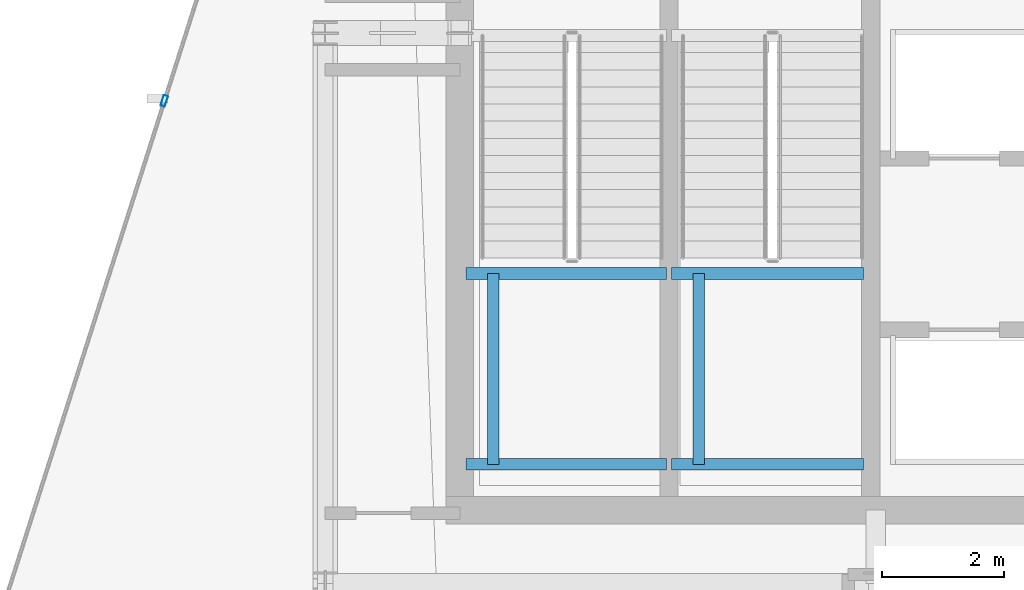
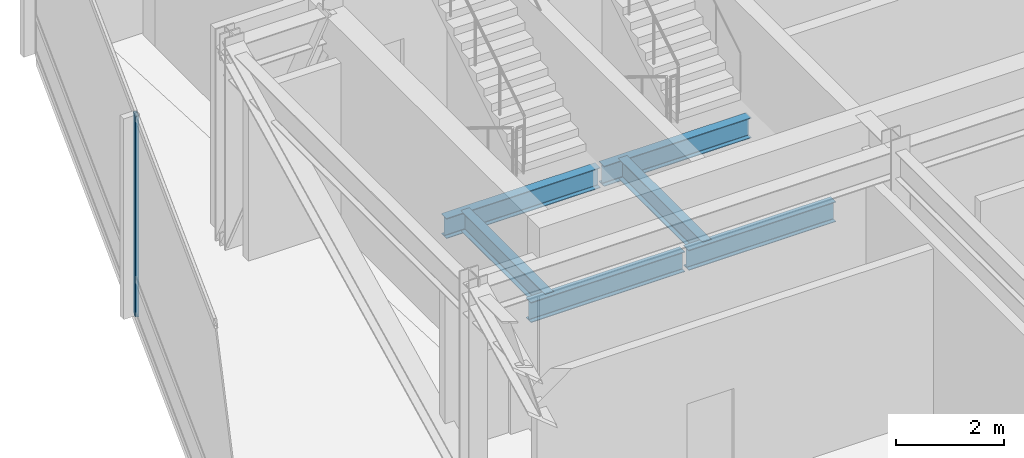
# One storey, part 8 of 23: 6 beams, 1 member, 1 element without a shape of its own.
"""IFC4 building model written with IfcOpenShell, lengths in metres."""

from ifc_helpers import new_model, si_unit, direction, frame, origin, origin_2d, place, context, subcontext, project, spatial, hollow_rectangle, i_section, extrude, material, layer, layer_set, material_profile, profile_set, type_object, element, aggregate, save


model = new_model("IFC4")

# Units and contexts
model_context = context("Model", 3, precision=1e-05, world=origin(), true_north=direction((0.0, 1.0)))
body_context = subcontext(model_context, "Body", "Model", "MODEL_VIEW")
ifc_project = project(units=[si_unit("LENGTHUNIT", "METRE"), si_unit("AREAUNIT", "SQUARE_METRE"), si_unit("VOLUMEUNIT", "CUBIC_METRE"), si_unit("PLANEANGLEUNIT", "RADIAN"), si_unit("MASSUNIT", "GRAM", prefix="KILO")], contexts=[model_context])

# Site, building, storey
site_placement = place(None, origin())
site = spatial("IfcSite", under=ifc_project, at=site_placement, CompositionType="ELEMENT")
building_placement = place(site_placement, origin())
building = spatial("IfcBuilding", under=site, at=building_placement, Name="Solvaryn Broadcast Tower", CompositionType="ELEMENT")
storey_placement = place(building_placement, frame((0.0, 0.0, 285.199951171875)))
storey = spatial("IfcBuildingStorey", under=building, at=storey_placement, Name="L72", CompositionType="ELEMENT", Elevation=285.199951171875)

# Beams
ifc_material_1 = material(Name="Steel ASTM A992 Grade 50", Category="steel")
ifc_material_profile_1 = material_profile(ifc_material_1, i_section(OverallWidth=0.18994140625, OverallDepth=0.45703125, WebThickness=0.009033203125, FlangeThickness=0.014404296875, FilletRadius=0.011962890625, at=origin_2d()))
ifc_profile_set_1 = profile_set([ifc_material_profile_1], Name="Steel ASTM A992 Grade 50")
beam_type = type_object("IfcBeamType", Name="BM-B4-W18X50", PredefinedType="BEAM", material=ifc_profile_set_1)
for number, where, z_axis, x_axis, name in (
    (1, (11.300048828125, 28.949951171875, 1.971435546875), (1.0, 0.0, 0.0), (0.0, 1.0, 0.0), "L72 ST1 Landing Support Beam 1A"),
    (2, (11.300048828125, 32.070068359375, 1.971435546875), (1.0, 0.0, 0.0), (0.0, 1.0, 0.0), "L72 ST1 Landing Support Beam 1B"),
):
    element("IfcBeam", number, at=place(storey_placement, frame(where, z_axis=z_axis, x_axis=x_axis)), inside=storey, type_object=beam_type, Name=name, PredefinedType="BEAM", context=body_context, shape_type="SweptSolid", body=[
        extrude(i_section(OverallWidth=0.18994140625, OverallDepth=0.45703125, WebThickness=0.009033203125, FlangeThickness=0.014404296875, FilletRadius=0.011962890625, at=origin_2d()), origin(), (0.0, 0.0, 1.0), 3.280029296875),
    ])
beam_1_placement = place(storey_placement, frame((11.75, 28.949951171875, 1.971435546875), z_axis=(0.0, 1.0, 0.0), x_axis=(-1.0, 0.0, 0.0)))
element("IfcBeam", 3, at=beam_1_placement, inside=storey, type_object=beam_type, Name="L72 ST1 Landing Cross Stringer 1C", PredefinedType="BEAM", context=body_context, shape_type="SweptSolid", body=[
    extrude(i_section(OverallWidth=0.18994140625, OverallDepth=0.45703125, WebThickness=0.009033203125, FlangeThickness=0.014404296875, FilletRadius=0.011962890625, at=origin_2d()), origin(), (0.0, 0.0, 1.0), 3.1201171875),
])
for number, where, z_axis, x_axis, name in (
    (4, (14.659912109375, 28.949951171875, 1.971435546875), (1.0, 0.0, 0.0), (0.0, 1.0, 0.0), "L72 ST2 Landing Support Beam 1A"),
    (5, (14.659912109375, 32.070068359375, 1.971435546875), (1.0, 0.0, 0.0), (0.0, 1.0, 0.0), "L72 ST2 Landing Support Beam 1B"),
):
    element("IfcBeam", number, at=place(storey_placement, frame(where, z_axis=z_axis, x_axis=x_axis)), inside=storey, type_object=beam_type, Name=name, PredefinedType="BEAM", context=body_context, shape_type="SweptSolid", body=[
        extrude(i_section(OverallWidth=0.18994140625, OverallDepth=0.45703125, WebThickness=0.009033203125, FlangeThickness=0.014404296875, FilletRadius=0.011962890625, at=origin_2d()), origin(), (0.0, 0.0, 1.0), 3.14013671875),
    ])
beam_2_placement = place(storey_placement, frame((15.110107421875, 28.949951171875, 1.971435546875), z_axis=(0.0, 1.0, 0.0), x_axis=(-1.0, 0.0, 0.0)))
element("IfcBeam", 6, at=beam_2_placement, inside=storey, type_object=beam_type, Name="L72 ST2 Landing Cross Stringer 1C", PredefinedType="BEAM", context=body_context, shape_type="SweptSolid", body=[
    extrude(i_section(OverallWidth=0.18994140625, OverallDepth=0.45703125, WebThickness=0.009033203125, FlangeThickness=0.014404296875, FilletRadius=0.011962890625, at=origin_2d()), origin(), (0.0, 0.0, 1.0), 3.1201171875),
])

# Curtain wall, member
ifc_material_2 = material(Name="Aluminium and Terracotta Unitised Curtain Wall", Category="masonry")
ifc_layer = layer(ifc_material_2, 0.199951171875)
ifc_layer_set = layer_set([ifc_layer], Name="CW-SYS2-LOWMID")
curtain_wall_type = type_object("IfcCurtainWallType", Name="CW-SYS2-LOWMID", PredefinedType="NOTDEFINED", material=ifc_layer_set)
curtain_wall_placement = place(storey_placement, origin())
curtain_wall = element("IfcCurtainWall", 7, at=curtain_wall_placement, inside=storey, type_object=curtain_wall_type, Name="L72 Curtain Wall DR1", PredefinedType="NOTDEFINED")
ifc_material_3 = material(Name="Anodised Aluminium 6063-T6", Category="aluminium")
ifc_material_profile_2 = material_profile(ifc_material_3, hollow_rectangle(XDim=0.074951171875, YDim=0.179931640625, WallThickness=0.00390625, InnerFilletRadius=0.00390625, OuterFilletRadius=0.008056640625, at=origin_2d()))
ifc_profile_set_2 = profile_set([ifc_material_profile_2], Name="Anodised Aluminium 6063-T6")
member_type = type_object("IfcMemberType", Name="CW-MUL-180", PredefinedType="MULLION", material=ifc_profile_set_2)
member_placement = place(storey_placement, frame((6.368896484375, 34.892578125, 0.0), z_axis=(0.0, 0.0, 1.0), x_axis=(0.952794594701, -0.30361564569, 0.0)))
member = element("IfcMember", 8, at=member_placement, type_object=member_type, Name="CWS2 mullion 2", PredefinedType="MULLION", context=body_context, shape_type="SweptSolid", body=[
    extrude(hollow_rectangle(XDim=0.074951171875, YDim=0.179931640625, WallThickness=0.00390625, InnerFilletRadius=0.00390625, OuterFilletRadius=0.008056640625, at=origin_2d()), origin(), (0.0, 0.0, 1.0), 4.52001953125),
])
aggregate(curtain_wall, [member])

save(model, "model.ifc")
